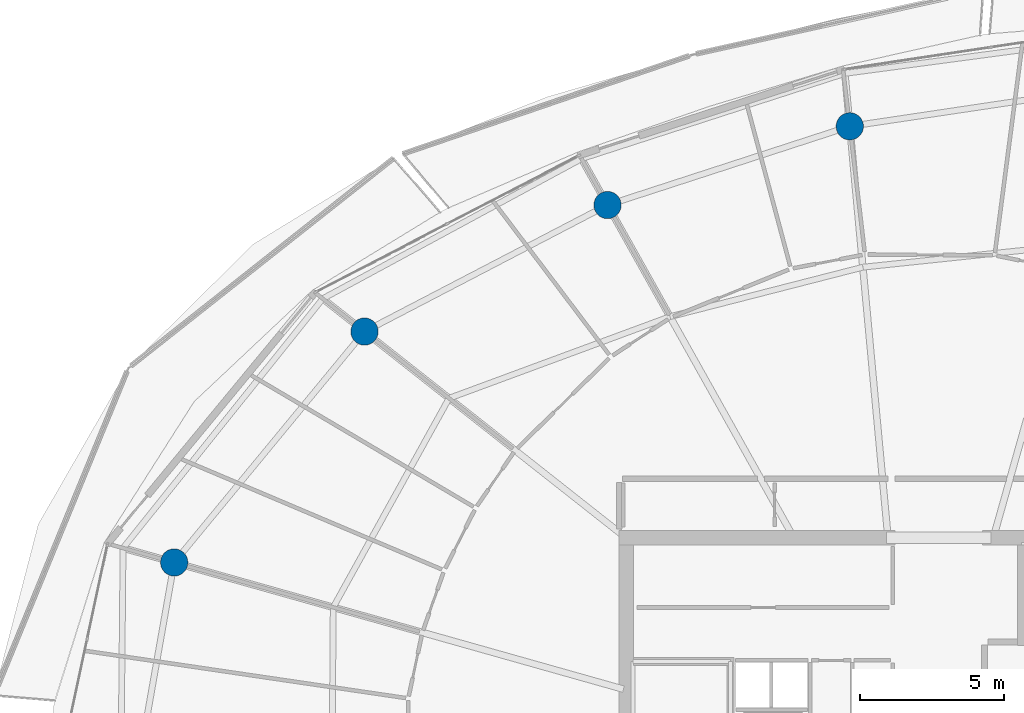
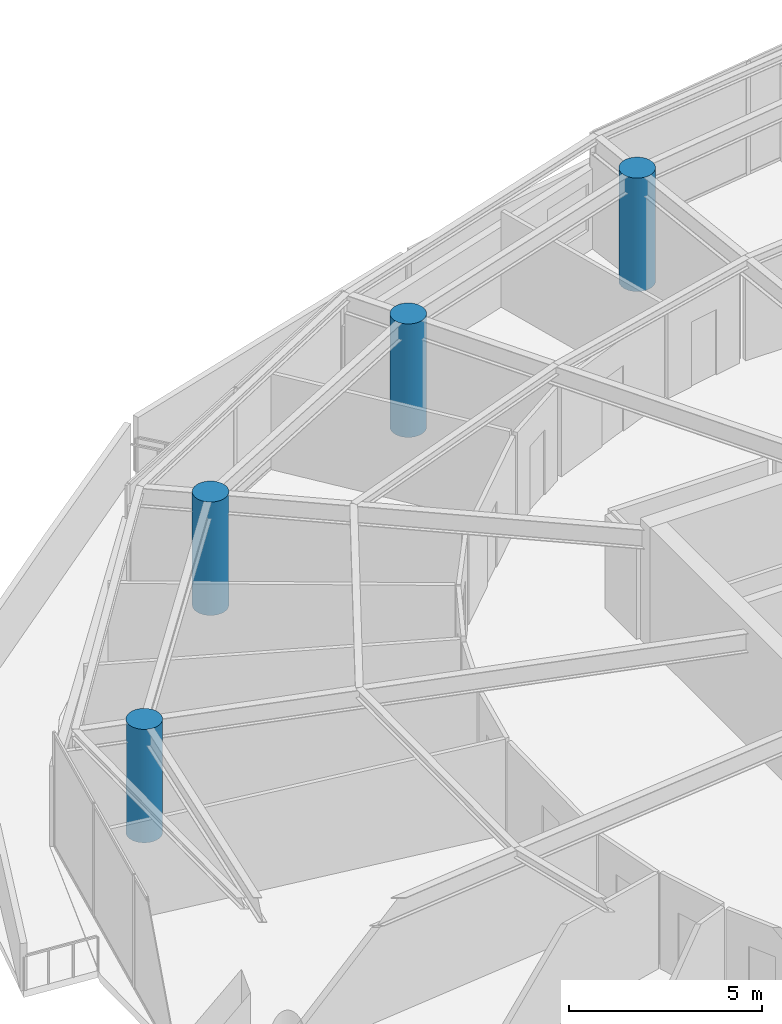
# One storey, part 4 of 30: 4 columns.
"""IFC4 building model written with IfcOpenShell, lengths in metres."""

from ifc_helpers import new_model, si_unit, direction, frame, origin, origin_2d, place, context, subcontext, project, spatial, circle, extrude, material, material_profile, profile_set, type_object, element, save


model = new_model("IFC4")

# Units and contexts
model_context = context("Model", 3, precision=1e-05, world=origin(), true_north=direction((0.0, 1.0)))
body_context = subcontext(model_context, "Body", "Model", "MODEL_VIEW")
ifc_project = project(units=[si_unit("LENGTHUNIT", "METRE"), si_unit("AREAUNIT", "SQUARE_METRE"), si_unit("VOLUMEUNIT", "CUBIC_METRE"), si_unit("PLANEANGLEUNIT", "RADIAN"), si_unit("MASSUNIT", "GRAM", prefix="KILO")], contexts=[model_context])

# Site, building, storey
site_placement = place(None, origin())
site = spatial("IfcSite", under=ifc_project, at=site_placement, CompositionType="ELEMENT")
building_placement = place(site_placement, origin())
building = spatial("IfcBuilding", under=site, at=building_placement, Name="Kazma Halo Residences", CompositionType="ELEMENT")
storey_placement = place(building_placement, frame((0.0, 0.0, 298.300048828125)))
storey = spatial("IfcBuildingStorey", under=building, at=storey_placement, Name="L75", CompositionType="ELEMENT", Elevation=298.300048828125)

# Columns
ifc_material = material(Name="Concrete C60/75", Category="concrete")
ifc_material_profile = material_profile(ifc_material, circle(Radius=0.47509765625, at=origin_2d()), Name="CIRC950")
ifc_profile_set = profile_set([ifc_material_profile], Name="Concrete C60/75")
column_type = type_object("IfcColumnType", Name="COL-PERIM-950", PredefinedType="COLUMN", material=ifc_profile_set)
for number, where, z_axis, x_axis, name in (
    (1, (45.32861328125, 64.57080078125, 0.0), (0.0, 0.0, 1.0), (1.0, 0.0, 0.0), "L75 perimeter ring column P04"),
    (2, (36.89453125, 61.830322265625, 0.0), (0.0, 0.0, 1.0), (1.0, 0.0, 0.0), "L75 perimeter ring column P05"),
    (3, (28.433837890625, 57.4248046875, 0.0), (0.0, 0.0, 1.0), (1.0, 0.0, 0.0), "L75 perimeter ring column P06"),
    (4, (21.80908203125, 49.38671875, 0.0), (0.0, 0.0, 1.0), (1.0, 0.0, 0.0), "L75 perimeter ring column P07"),
):
    element("IfcColumn", number, at=place(storey_placement, frame(where, z_axis=z_axis, x_axis=x_axis)), inside=storey, type_object=column_type, Name=name, PredefinedType="COLUMN", context=body_context, shape_type="SweptSolid", body=[
        extrude(circle(Radius=0.47509765625, at=origin_2d()), origin(), (0.0, 0.0, 1.0), 3.58984375),
    ])

save(model, "model.ifc")
